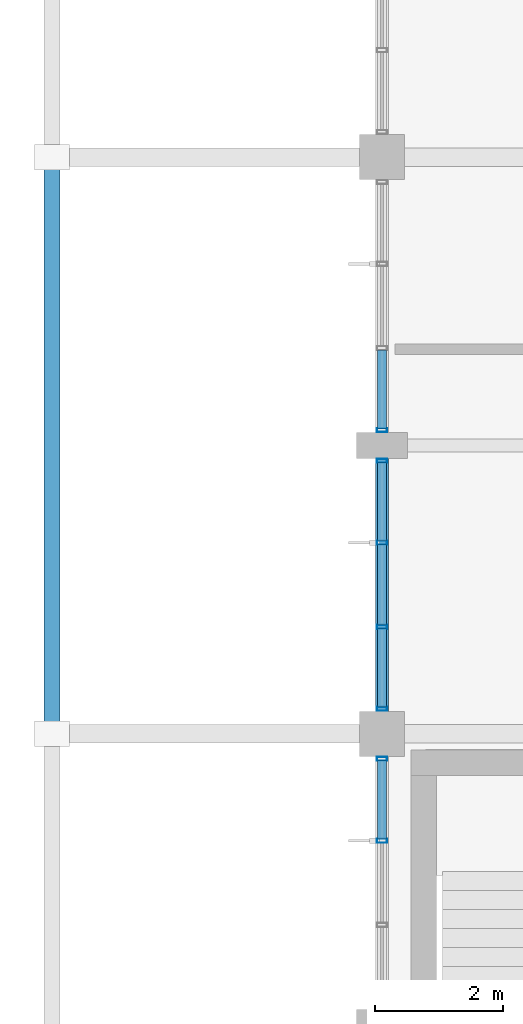
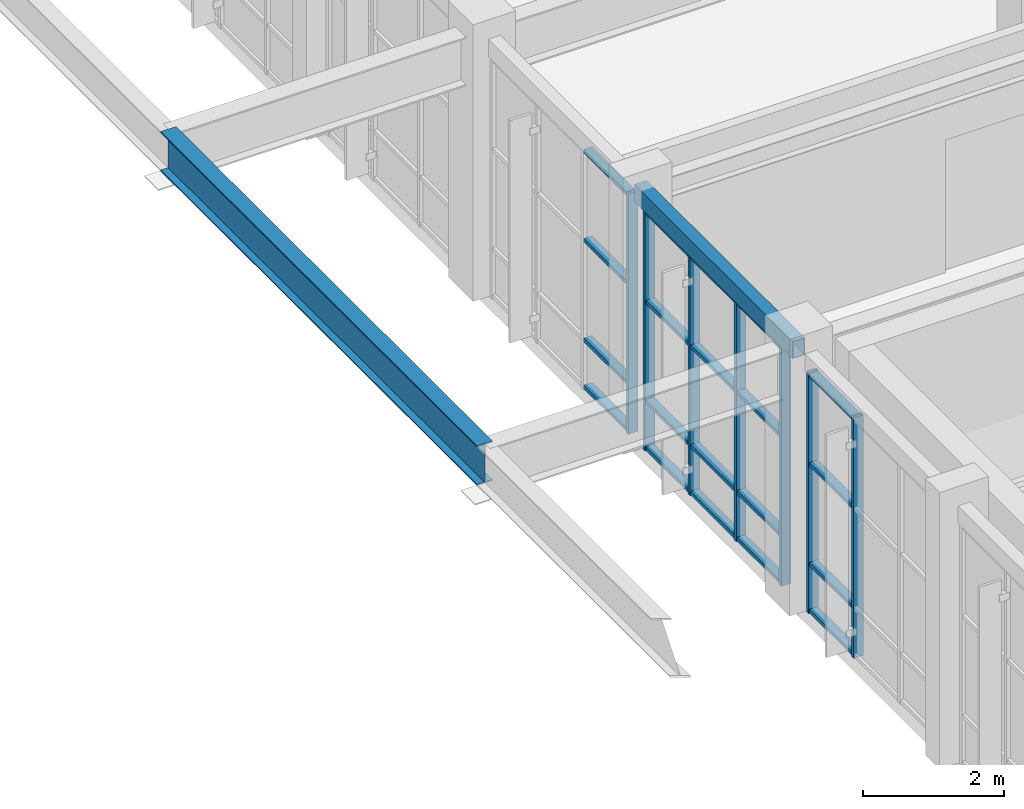
# One storey, part 22 of 99: 27 members, 2 beams, 3 elements without a shape of their own.
"""IFC4 building model written with IfcOpenShell, lengths in metres."""

from ifc_helpers import new_model, si_unit, direction, frame, origin, origin_2d, place, context, subcontext, project, spatial, hollow_rectangle, i_section, extrude, material, layer, layer_set, material_profile, profile_set, type_object, element, aggregate, save


model = new_model("IFC4")

# Units and contexts
model_context = context("Model", 3, precision=1e-05, world=origin(), true_north=direction((0.0, 1.0)))
body_context = subcontext(model_context, "Body", "Model", "MODEL_VIEW")
ifc_project = project(units=[si_unit("LENGTHUNIT", "METRE"), si_unit("AREAUNIT", "SQUARE_METRE"), si_unit("VOLUMEUNIT", "CUBIC_METRE"), si_unit("PLANEANGLEUNIT", "RADIAN"), si_unit("MASSUNIT", "GRAM", prefix="KILO")], contexts=[model_context])

# Site, building, storey
site_placement = place(None, origin())
site = spatial("IfcSite", under=ifc_project, at=site_placement, CompositionType="ELEMENT")
building_placement = place(site_placement, origin())
building = spatial("IfcBuilding", under=site, at=building_placement, Name="Ventoquebrada Cableway Terminal", CompositionType="ELEMENT")
storey_placement = place(building_placement, frame((0.0, 0.0, 9.60009765625)))
storey = spatial("IfcBuildingStorey", under=building, at=storey_placement, Name="L02", CompositionType="ELEMENT", Elevation=9.60009765625)

# Beam
ifc_material_1 = material(Name="Steel ASTM A992 Grade 50", Category="steel")
ifc_material_profile_1 = material_profile(ifc_material_1, i_section(OverallWidth=0.25390625, OverallDepth=0.68798828125, WebThickness=0.01318359375, FlangeThickness=0.02099609375, at=origin_2d()), Name="W27X102")
ifc_profile_set_1 = profile_set([ifc_material_profile_1], Name="Steel ASTM A992 Grade 50")
beam_type_1 = type_object("IfcBeamType", Name="BM-ST04", PredefinedType="BEAM", material=ifc_profile_set_1)
beam_1_placement = place(storey_placement, frame((3.050048828125, 86.0, 4.120849609375), z_axis=(0.0, 1.0, 0.0), x_axis=(-1.0, 0.0, 0.0)))
element("IfcBeam", 1, at=beam_1_placement, inside=storey, type_object=beam_type_1, Name="Cantilever edge girder CB-007", PredefinedType="BEAM", context=body_context, shape_type="SweptSolid", body=[
    extrude(i_section(OverallWidth=0.25390625, OverallDepth=0.68798828125, WebThickness=0.01318359375, FlangeThickness=0.02099609375, at=origin_2d()), origin(), (0.0, 0.0, 1.0), 9.0),
])

# Curtain wall, members
ifc_material_2 = material(Name="Anodized thermally-broken aluminium", Category="aluminium")
ifc_layer = layer(ifc_material_2, 0.159912109375)
ifc_layer_set = layer_set([ifc_layer], Name="Anodized thermally-broken aluminium")
curtain_wall_type = type_object("IfcCurtainWallType", Name="CW-T17", PredefinedType="USERDEFINED", material=ifc_layer_set)
curtain_wall_1_placement = place(storey_placement, origin())
curtain_wall_1 = element("IfcCurtainWall", 2, at=curtain_wall_1_placement, inside=storey, type_object=curtain_wall_type, Name="Unitised glazed curtain wall CW-045", ObjectType="UNITISED CURTAIN WALL", PredefinedType="USERDEFINED")
ifc_material_profile_2 = material_profile(ifc_material_2, hollow_rectangle(XDim=0.06494140625, YDim=0.159912109375, WallThickness=0.00390625, at=origin_2d()), Name="CW-MUL-65X160")
ifc_profile_set_2 = profile_set([ifc_material_profile_2], Name="Anodized thermally-broken aluminium")
member_type_1 = type_object("IfcMemberType", Name="CWM-01", PredefinedType="MULLION", material=ifc_profile_set_2)
member_1_placement = place(storey_placement, frame((8.199951171875, 85.610107421875, -0.008056640625), z_axis=(0.0, 0.0, 1.0), x_axis=(0.0, -1.0, 0.0)))
member_1 = element("IfcMember", 3, at=member_1_placement, type_object=member_type_1, Name="Curtain wall mullion FML-0204", PredefinedType="MULLION", context=body_context, shape_type="SweptSolid", body=[
    extrude(hollow_rectangle(XDim=0.06494140625, YDim=0.159912109375, WallThickness=0.00390625, at=origin_2d()), origin(), (0.0, 0.0, 1.0), 4.1728515625),
])
member_2_placement = place(storey_placement, frame((8.199951171875, 84.33203125, -0.008056640625), z_axis=(0.0, 0.0, 1.0), x_axis=(0.0, -1.0, 0.0)))
member_2 = element("IfcMember", 4, at=member_2_placement, type_object=member_type_1, Name="Curtain wall mullion FML-0205", PredefinedType="MULLION", context=body_context, shape_type="SweptSolid", body=[
    extrude(hollow_rectangle(XDim=0.06494140625, YDim=0.159912109375, WallThickness=0.00390625, at=origin_2d()), origin(), (0.0, 0.0, 1.0), 4.1728515625),
])

# Curtain wall, member
curtain_wall_2_placement = place(storey_placement, origin())
curtain_wall_2 = element("IfcCurtainWall", 5, at=curtain_wall_2_placement, inside=storey, type_object=curtain_wall_type, Name="Unitised glazed curtain wall CW-047", ObjectType="UNITISED CURTAIN WALL", PredefinedType="USERDEFINED")
member_3_placement = place(storey_placement, frame((8.199951171875, 90.739990234375, -0.008056640625), z_axis=(0.0, 0.0, 1.0), x_axis=(0.0, -1.0, 0.0)))
member_3 = element("IfcMember", 6, at=member_3_placement, type_object=member_type_1, Name="Curtain wall mullion FML-0215", PredefinedType="MULLION", context=body_context, shape_type="SweptSolid", body=[
    extrude(hollow_rectangle(XDim=0.06494140625, YDim=0.159912109375, WallThickness=0.00390625, at=origin_2d()), origin(), (0.0, 0.0, 1.0), 4.1728515625),
])

# Curtain wall, members
curtain_wall_3_placement = place(storey_placement, origin())
curtain_wall_3 = element("IfcCurtainWall", 7, at=curtain_wall_3_placement, inside=storey, type_object=curtain_wall_type, Name="Unitised glazed curtain wall CW-048", ObjectType="UNITISED CURTAIN WALL", PredefinedType="USERDEFINED")
member_4_placement = place(storey_placement, frame((8.199951171875, 90.260009765625, -0.008056640625), z_axis=(0.0, 0.0, 1.0), x_axis=(0.0, -1.0, 0.0)))
member_4 = element("IfcMember", 8, at=member_4_placement, type_object=member_type_1, Name="Curtain wall mullion FML-0216", PredefinedType="MULLION", context=body_context, shape_type="SweptSolid", body=[
    extrude(hollow_rectangle(XDim=0.06494140625, YDim=0.159912109375, WallThickness=0.00390625, at=origin_2d()), origin(), (0.0, 0.0, 1.0), 4.1728515625),
])
member_5_placement = place(storey_placement, frame((8.199951171875, 88.98193359375, -0.008056640625), z_axis=(0.0, 0.0, 1.0), x_axis=(0.0, -1.0, 0.0)))
member_5 = element("IfcMember", 9, at=member_5_placement, type_object=member_type_1, Name="Curtain wall mullion FML-0217", PredefinedType="MULLION", context=body_context, shape_type="SweptSolid", body=[
    extrude(hollow_rectangle(XDim=0.06494140625, YDim=0.159912109375, WallThickness=0.00390625, at=origin_2d()), origin(), (0.0, 0.0, 1.0), 4.1728515625),
])
member_6_placement = place(storey_placement, frame((8.199951171875, 87.66796875, -0.008056640625), z_axis=(0.0, 0.0, 1.0), x_axis=(0.0, -1.0, 0.0)))
member_6 = element("IfcMember", 10, at=member_6_placement, type_object=member_type_1, Name="Curtain wall mullion FML-0218", PredefinedType="MULLION", context=body_context, shape_type="SweptSolid", body=[
    extrude(hollow_rectangle(XDim=0.06494140625, YDim=0.159912109375, WallThickness=0.00390625, at=origin_2d()), origin(), (0.0, 0.0, 1.0), 4.1728515625),
])
member_7_placement = place(storey_placement, frame((8.199951171875, 86.389892578125, -0.008056640625), z_axis=(0.0, 0.0, 1.0), x_axis=(0.0, -1.0, 0.0)))
member_7 = element("IfcMember", 11, at=member_7_placement, type_object=member_type_1, Name="Curtain wall mullion FML-0219", PredefinedType="MULLION", context=body_context, shape_type="SweptSolid", body=[
    extrude(hollow_rectangle(XDim=0.06494140625, YDim=0.159912109375, WallThickness=0.00390625, at=origin_2d()), origin(), (0.0, 0.0, 1.0), 4.1728515625),
])

# Member
ifc_material_profile_3 = material_profile(ifc_material_2, hollow_rectangle(XDim=0.06494140625, YDim=0.139892578125, WallThickness=0.00390625, at=origin_2d()), Name="CW-TRN-65X140")
ifc_profile_set_3 = profile_set([ifc_material_profile_3], Name="Anodized thermally-broken aluminium")
member_type_2 = type_object("IfcMemberType", Name="CWT-01", PredefinedType="USERDEFINED", material=ifc_profile_set_3)
member_8_placement = place(storey_placement, frame((8.199951171875, 85.58203125, 0.034912109375), z_axis=(0.0, -1.0, 0.0), x_axis=(0.0, 0.0, 1.0)))
member_8 = element("IfcMember", 12, at=member_8_placement, type_object=member_type_2, Name="Curtain wall transom FTR-0615", ObjectType="TRANSOM", PredefinedType="USERDEFINED", context=body_context, shape_type="SweptSolid", body=[
    extrude(hollow_rectangle(XDim=0.06494140625, YDim=0.139892578125, WallThickness=0.00390625, at=origin_2d()), origin(), (0.0, 0.0, 1.0), 1.22314453125),
])

member_9_placement = place(storey_placement, frame((8.199951171875, 85.58203125, 0.849853515625), z_axis=(0.0, -1.0, 0.0), x_axis=(0.0, 0.0, 1.0)))
member_9 = element("IfcMember", 13, at=member_9_placement, type_object=member_type_2, Name="Curtain wall transom FTR-0616", ObjectType="TRANSOM", PredefinedType="USERDEFINED", context=body_context, shape_type="SweptSolid", body=[
    extrude(hollow_rectangle(XDim=0.06494140625, YDim=0.139892578125, WallThickness=0.00390625, at=origin_2d()), origin(), (0.0, 0.0, 1.0), 1.22314453125),
])

member_10_placement = place(storey_placement, frame((8.199951171875, 85.58203125, 2.578857421875), z_axis=(0.0, -1.0, 0.0), x_axis=(0.0, 0.0, 1.0)))
member_10 = element("IfcMember", 14, at=member_10_placement, type_object=member_type_2, Name="Curtain wall transom FTR-0617", ObjectType="TRANSOM", PredefinedType="USERDEFINED", context=body_context, shape_type="SweptSolid", body=[
    extrude(hollow_rectangle(XDim=0.06494140625, YDim=0.139892578125, WallThickness=0.00390625, at=origin_2d()), origin(), (0.0, 0.0, 1.0), 1.22314453125),
])

member_11_placement = place(storey_placement, frame((8.199951171875, 85.58203125, 4.125), z_axis=(0.0, -1.0, 0.0), x_axis=(0.0, 0.0, 1.0)))
member_11 = element("IfcMember", 15, at=member_11_placement, type_object=member_type_2, Name="Curtain wall transom FTR-0618", ObjectType="TRANSOM", PredefinedType="USERDEFINED", context=body_context, shape_type="SweptSolid", body=[
    extrude(hollow_rectangle(XDim=0.06494140625, YDim=0.139892578125, WallThickness=0.00390625, at=origin_2d()), origin(), (0.0, 0.0, 1.0), 1.22314453125),
])

aggregate(curtain_wall_1, [member_1, member_2, member_8, member_9, member_10, member_11])

member_12_placement = place(storey_placement, frame((8.199951171875, 91.990966796875, 0.034912109375), z_axis=(0.0, -1.0, 0.0), x_axis=(0.0, 0.0, 1.0)))
member_12 = element("IfcMember", 16, at=member_12_placement, type_object=member_type_2, Name="Curtain wall transom FTR-0647", ObjectType="TRANSOM", PredefinedType="USERDEFINED", context=body_context, shape_type="SweptSolid", body=[
    extrude(hollow_rectangle(XDim=0.06494140625, YDim=0.139892578125, WallThickness=0.00390625, at=origin_2d()), origin(), (0.0, 0.0, 1.0), 1.223876953125),
])

member_13_placement = place(storey_placement, frame((8.199951171875, 91.990966796875, 0.849853515625), z_axis=(0.0, -1.0, 0.0), x_axis=(0.0, 0.0, 1.0)))
member_13 = element("IfcMember", 17, at=member_13_placement, type_object=member_type_2, Name="Curtain wall transom FTR-0648", ObjectType="TRANSOM", PredefinedType="USERDEFINED", context=body_context, shape_type="SweptSolid", body=[
    extrude(hollow_rectangle(XDim=0.06494140625, YDim=0.139892578125, WallThickness=0.00390625, at=origin_2d()), origin(), (0.0, 0.0, 1.0), 1.223876953125),
])

member_14_placement = place(storey_placement, frame((8.199951171875, 91.990966796875, 2.578857421875), z_axis=(0.0, -1.0, 0.0), x_axis=(0.0, 0.0, 1.0)))
member_14 = element("IfcMember", 18, at=member_14_placement, type_object=member_type_2, Name="Curtain wall transom FTR-0649", ObjectType="TRANSOM", PredefinedType="USERDEFINED", context=body_context, shape_type="SweptSolid", body=[
    extrude(hollow_rectangle(XDim=0.06494140625, YDim=0.139892578125, WallThickness=0.00390625, at=origin_2d()), origin(), (0.0, 0.0, 1.0), 1.223876953125),
])

member_15_placement = place(storey_placement, frame((8.199951171875, 91.990966796875, 4.125), z_axis=(0.0, -1.0, 0.0), x_axis=(0.0, 0.0, 1.0)))
member_15 = element("IfcMember", 19, at=member_15_placement, type_object=member_type_2, Name="Curtain wall transom FTR-0650", ObjectType="TRANSOM", PredefinedType="USERDEFINED", context=body_context, shape_type="SweptSolid", body=[
    extrude(hollow_rectangle(XDim=0.06494140625, YDim=0.139892578125, WallThickness=0.00390625, at=origin_2d()), origin(), (0.0, 0.0, 1.0), 1.223876953125),
])

aggregate(curtain_wall_2, [member_3, member_12, member_13, member_14, member_15])

member_16_placement = place(storey_placement, frame((8.199951171875, 90.23291015625, 0.034912109375), z_axis=(0.0, -1.0, 0.0), x_axis=(0.0, 0.0, 1.0)))
member_16 = element("IfcMember", 20, at=member_16_placement, type_object=member_type_2, Name="Curtain wall transom FTR-0651", ObjectType="TRANSOM", PredefinedType="USERDEFINED", context=body_context, shape_type="SweptSolid", body=[
    extrude(hollow_rectangle(XDim=0.06494140625, YDim=0.139892578125, WallThickness=0.00390625, at=origin_2d()), origin(), (0.0, 0.0, 1.0), 1.223876953125),
])

member_17_placement = place(storey_placement, frame((8.199951171875, 90.23291015625, 0.849853515625), z_axis=(0.0, -1.0, 0.0), x_axis=(0.0, 0.0, 1.0)))
member_17 = element("IfcMember", 21, at=member_17_placement, type_object=member_type_2, Name="Curtain wall transom FTR-0652", ObjectType="TRANSOM", PredefinedType="USERDEFINED", context=body_context, shape_type="SweptSolid", body=[
    extrude(hollow_rectangle(XDim=0.06494140625, YDim=0.139892578125, WallThickness=0.00390625, at=origin_2d()), origin(), (0.0, 0.0, 1.0), 1.223876953125),
])

member_18_placement = place(storey_placement, frame((8.199951171875, 90.23291015625, 2.578857421875), z_axis=(0.0, -1.0, 0.0), x_axis=(0.0, 0.0, 1.0)))
member_18 = element("IfcMember", 22, at=member_18_placement, type_object=member_type_2, Name="Curtain wall transom FTR-0653", ObjectType="TRANSOM", PredefinedType="USERDEFINED", context=body_context, shape_type="SweptSolid", body=[
    extrude(hollow_rectangle(XDim=0.06494140625, YDim=0.139892578125, WallThickness=0.00390625, at=origin_2d()), origin(), (0.0, 0.0, 1.0), 1.223876953125),
])

member_19_placement = place(storey_placement, frame((8.199951171875, 90.23291015625, 4.125), z_axis=(0.0, -1.0, 0.0), x_axis=(0.0, 0.0, 1.0)))
member_19 = element("IfcMember", 23, at=member_19_placement, type_object=member_type_2, Name="Curtain wall transom FTR-0654", ObjectType="TRANSOM", PredefinedType="USERDEFINED", context=body_context, shape_type="SweptSolid", body=[
    extrude(hollow_rectangle(XDim=0.06494140625, YDim=0.139892578125, WallThickness=0.00390625, at=origin_2d()), origin(), (0.0, 0.0, 1.0), 1.223876953125),
])

member_20_placement = place(storey_placement, frame((8.199951171875, 88.9541015625, 0.034912109375), z_axis=(0.0, -1.0, 0.0), x_axis=(0.0, 0.0, 1.0)))
member_20 = element("IfcMember", 24, at=member_20_placement, type_object=member_type_2, Name="Curtain wall transom FTR-0655", ObjectType="TRANSOM", PredefinedType="USERDEFINED", context=body_context, shape_type="SweptSolid", body=[
    extrude(hollow_rectangle(XDim=0.06494140625, YDim=0.139892578125, WallThickness=0.00390625, at=origin_2d()), origin(), (0.0, 0.0, 1.0), 1.258056640625),
])

member_21_placement = place(storey_placement, frame((8.199951171875, 88.9541015625, 0.849853515625), z_axis=(0.0, -1.0, 0.0), x_axis=(0.0, 0.0, 1.0)))
member_21 = element("IfcMember", 25, at=member_21_placement, type_object=member_type_2, Name="Curtain wall transom FTR-0656", ObjectType="TRANSOM", PredefinedType="USERDEFINED", context=body_context, shape_type="SweptSolid", body=[
    extrude(hollow_rectangle(XDim=0.06494140625, YDim=0.139892578125, WallThickness=0.00390625, at=origin_2d()), origin(), (0.0, 0.0, 1.0), 1.258056640625),
])

member_22_placement = place(storey_placement, frame((8.199951171875, 88.9541015625, 2.578857421875), z_axis=(0.0, -1.0, 0.0), x_axis=(0.0, 0.0, 1.0)))
member_22 = element("IfcMember", 26, at=member_22_placement, type_object=member_type_2, Name="Curtain wall transom FTR-0657", ObjectType="TRANSOM", PredefinedType="USERDEFINED", context=body_context, shape_type="SweptSolid", body=[
    extrude(hollow_rectangle(XDim=0.06494140625, YDim=0.139892578125, WallThickness=0.00390625, at=origin_2d()), origin(), (0.0, 0.0, 1.0), 1.258056640625),
])

member_23_placement = place(storey_placement, frame((8.199951171875, 88.9541015625, 4.125), z_axis=(0.0, -1.0, 0.0), x_axis=(0.0, 0.0, 1.0)))
member_23 = element("IfcMember", 27, at=member_23_placement, type_object=member_type_2, Name="Curtain wall transom FTR-0658", ObjectType="TRANSOM", PredefinedType="USERDEFINED", context=body_context, shape_type="SweptSolid", body=[
    extrude(hollow_rectangle(XDim=0.06494140625, YDim=0.139892578125, WallThickness=0.00390625, at=origin_2d()), origin(), (0.0, 0.0, 1.0), 1.258056640625),
])

member_24_placement = place(storey_placement, frame((8.199951171875, 87.64111328125, 0.034912109375), z_axis=(0.0, -1.0, 0.0), x_axis=(0.0, 0.0, 1.0)))
member_24 = element("IfcMember", 28, at=member_24_placement, type_object=member_type_2, Name="Curtain wall transom FTR-0659", ObjectType="TRANSOM", PredefinedType="USERDEFINED", context=body_context, shape_type="SweptSolid", body=[
    extrude(hollow_rectangle(XDim=0.06494140625, YDim=0.139892578125, WallThickness=0.00390625, at=origin_2d()), origin(), (0.0, 0.0, 1.0), 1.22314453125),
])

member_25_placement = place(storey_placement, frame((8.199951171875, 87.64111328125, 0.849853515625), z_axis=(0.0, -1.0, 0.0), x_axis=(0.0, 0.0, 1.0)))
member_25 = element("IfcMember", 29, at=member_25_placement, type_object=member_type_2, Name="Curtain wall transom FTR-0660", ObjectType="TRANSOM", PredefinedType="USERDEFINED", context=body_context, shape_type="SweptSolid", body=[
    extrude(hollow_rectangle(XDim=0.06494140625, YDim=0.139892578125, WallThickness=0.00390625, at=origin_2d()), origin(), (0.0, 0.0, 1.0), 1.22314453125),
])

member_26_placement = place(storey_placement, frame((8.199951171875, 87.64111328125, 2.578857421875), z_axis=(0.0, -1.0, 0.0), x_axis=(0.0, 0.0, 1.0)))
member_26 = element("IfcMember", 30, at=member_26_placement, type_object=member_type_2, Name="Curtain wall transom FTR-0661", ObjectType="TRANSOM", PredefinedType="USERDEFINED", context=body_context, shape_type="SweptSolid", body=[
    extrude(hollow_rectangle(XDim=0.06494140625, YDim=0.139892578125, WallThickness=0.00390625, at=origin_2d()), origin(), (0.0, 0.0, 1.0), 1.22314453125),
])

member_27_placement = place(storey_placement, frame((8.199951171875, 87.64111328125, 4.125), z_axis=(0.0, -1.0, 0.0), x_axis=(0.0, 0.0, 1.0)))
member_27 = element("IfcMember", 31, at=member_27_placement, type_object=member_type_2, Name="Curtain wall transom FTR-0662", ObjectType="TRANSOM", PredefinedType="USERDEFINED", context=body_context, shape_type="SweptSolid", body=[
    extrude(hollow_rectangle(XDim=0.06494140625, YDim=0.139892578125, WallThickness=0.00390625, at=origin_2d()), origin(), (0.0, 0.0, 1.0), 1.22314453125),
])

aggregate(curtain_wall_3, [member_4, member_5, member_6, member_7, member_16, member_17, member_18, member_19, member_20, member_21, member_22, member_23, member_24, member_25, member_26, member_27])

# Beam
ifc_material_3 = material(Name="Steel ASTM A500 Grade C", Category="steel")
ifc_material_profile_4 = material_profile(ifc_material_3, hollow_rectangle(XDim=0.199951171875, YDim=0.300048828125, WallThickness=0.012451171875, at=origin_2d()), Name="RHS300X200X12.5")
ifc_profile_set_4 = profile_set([ifc_material_profile_4], Name="Steel ASTM A500 Grade C")
beam_type_2 = type_object("IfcBeamType", Name="SP-ST02", PredefinedType="SPANDREL", material=ifc_profile_set_4)
beam_2_placement = place(storey_placement, frame((8.199951171875, 86.0, 4.31494140625), z_axis=(0.0, 1.0, 0.0), x_axis=(-1.0, 0.0, 0.0)))
element("IfcBeam", 32, at=beam_2_placement, inside=storey, type_object=beam_type_2, Name="Perimeter spandrel beam FBM-0463", PredefinedType="SPANDREL", context=body_context, shape_type="SweptSolid", body=[
    extrude(hollow_rectangle(XDim=0.199951171875, YDim=0.300048828125, WallThickness=0.012451171875, at=origin_2d()), origin(), (0.0, 0.0, 1.0), 4.5),
])

save(model, "model.ifc")
